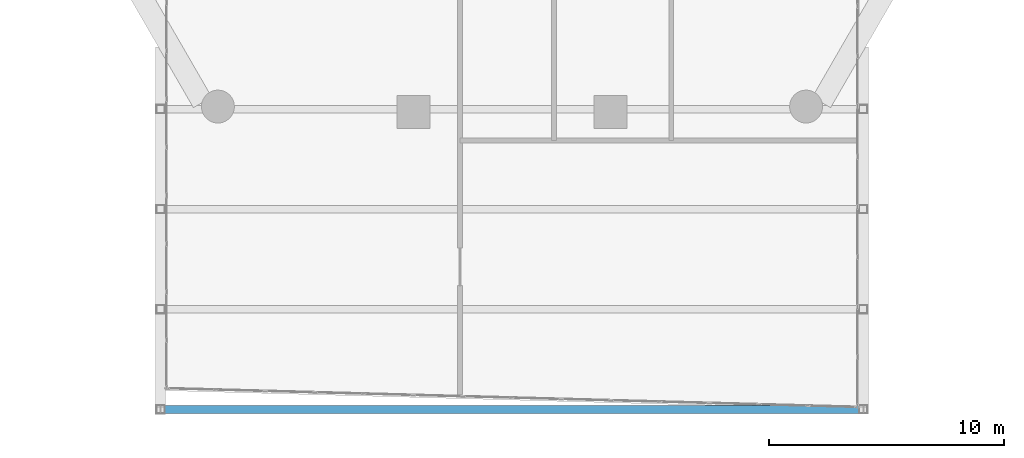
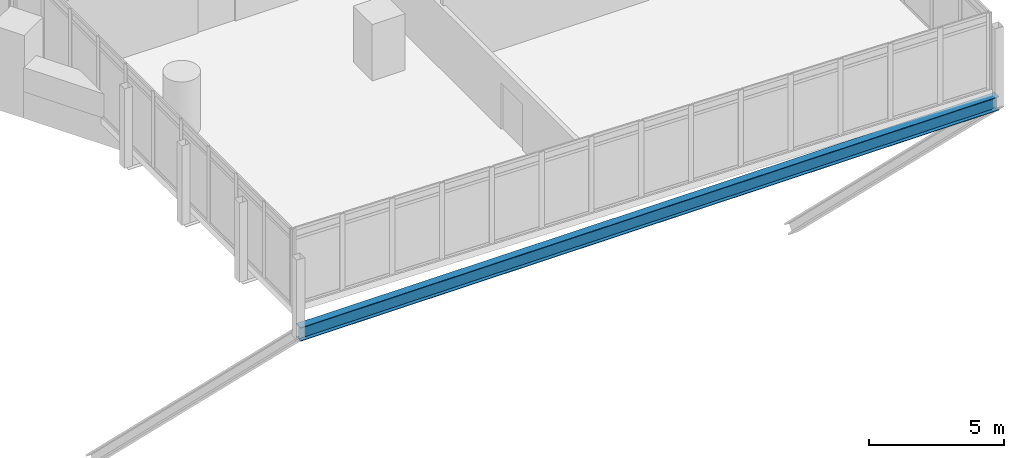
# One storey, part 6 of 38: 1 beam.
"""IFC4 building model written with IfcOpenShell, lengths in metres."""

from ifc_helpers import new_model, si_unit, direction, frame, origin, origin_2d, place, context, subcontext, project, spatial, i_section, extrude, material, material_profile, profile_set, type_object, element, save


model = new_model("IFC4")

# Units and contexts
model_context = context("Model", 3, precision=1e-05, world=origin(), true_north=direction((0.0, 1.0)))
body_context = subcontext(model_context, "Body", "Model", "MODEL_VIEW")
ifc_project = project(units=[si_unit("LENGTHUNIT", "METRE"), si_unit("AREAUNIT", "SQUARE_METRE"), si_unit("VOLUMEUNIT", "CUBIC_METRE"), si_unit("PLANEANGLEUNIT", "RADIAN"), si_unit("MASSUNIT", "GRAM", prefix="KILO")], contexts=[model_context])

# Site, building, storey
site_placement = place(None, origin())
site = spatial("IfcSite", under=ifc_project, at=site_placement, CompositionType="ELEMENT")
building_placement = place(site_placement, origin())
building = spatial("IfcBuilding", under=site, at=building_placement, Name="Ostrander Bayou Hotel Tower", CompositionType="ELEMENT")
storey_placement = place(building_placement, frame((0.0, 0.0, 65.5)))
storey = spatial("IfcBuildingStorey", under=building, at=storey_placement, Name="L16", CompositionType="ELEMENT", Elevation=65.5)

# Beam
ifc_material = material(Name="Steel ASTM A992", Category="steel")
ifc_material_profile = material_profile(ifc_material, i_section(OverallWidth=0.32763671875, OverallDepth=0.621826171875, WebThickness=0.015380859375, FlangeThickness=0.0244140625, at=origin_2d()))
ifc_profile_set = profile_set([ifc_material_profile], Name="Steel ASTM A992")
beam_type = type_object("IfcBeamType", Name="TF1 bar floor beam W24x131", PredefinedType="BEAM", material=ifc_profile_set)
beam_placement = place(storey_placement, frame((-14.965087890625, -32.949951171875, -0.61083984375), z_axis=(1.0, 0.0, 0.0), x_axis=(0.0, 1.0, 0.0)))
element("IfcBeam", 1, at=beam_placement, inside=storey, type_object=beam_type, Name="TF1 SB1S L1-4", PredefinedType="BEAM", context=body_context, shape_type="SweptSolid", body=[
    extrude(i_section(OverallWidth=0.32763671875, OverallDepth=0.621826171875, WebThickness=0.015380859375, FlangeThickness=0.0244140625, at=origin_2d()), origin(), (0.0, 0.0, 1.0), 29.93017578125),
])

save(model, "model.ifc")
